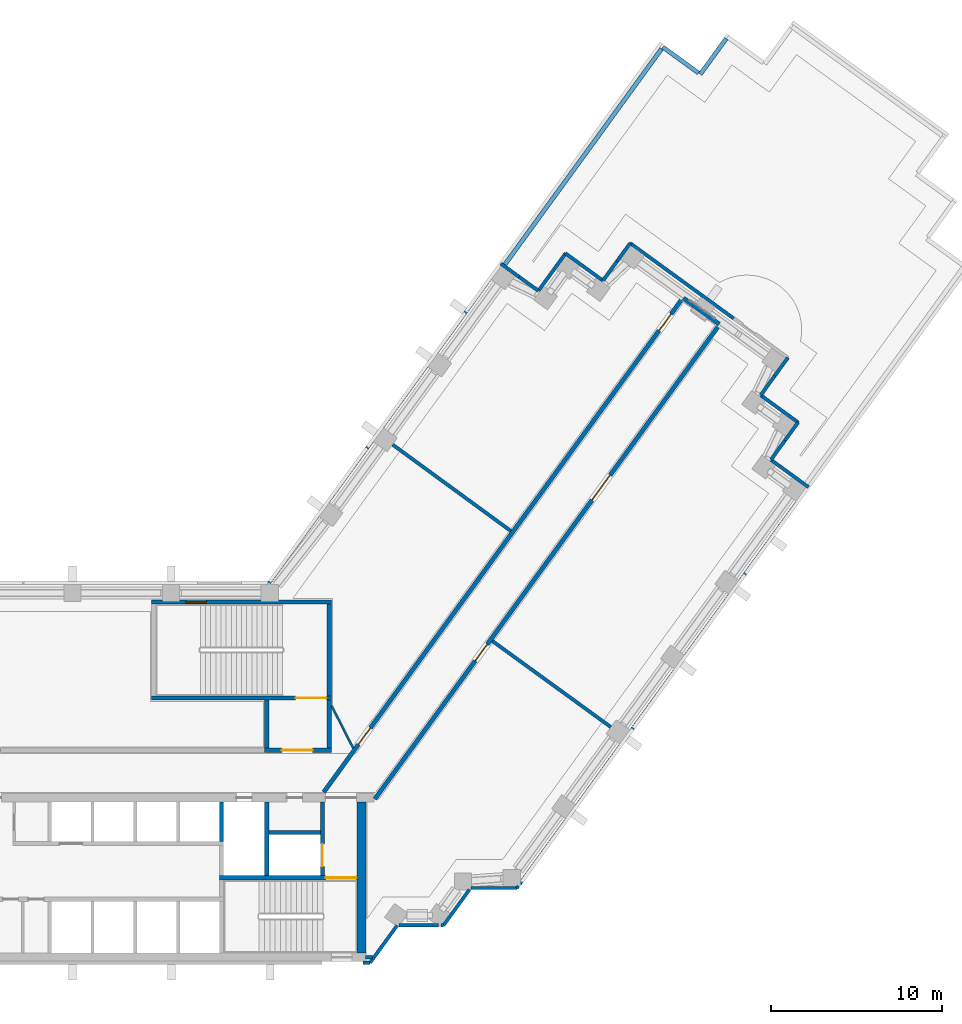
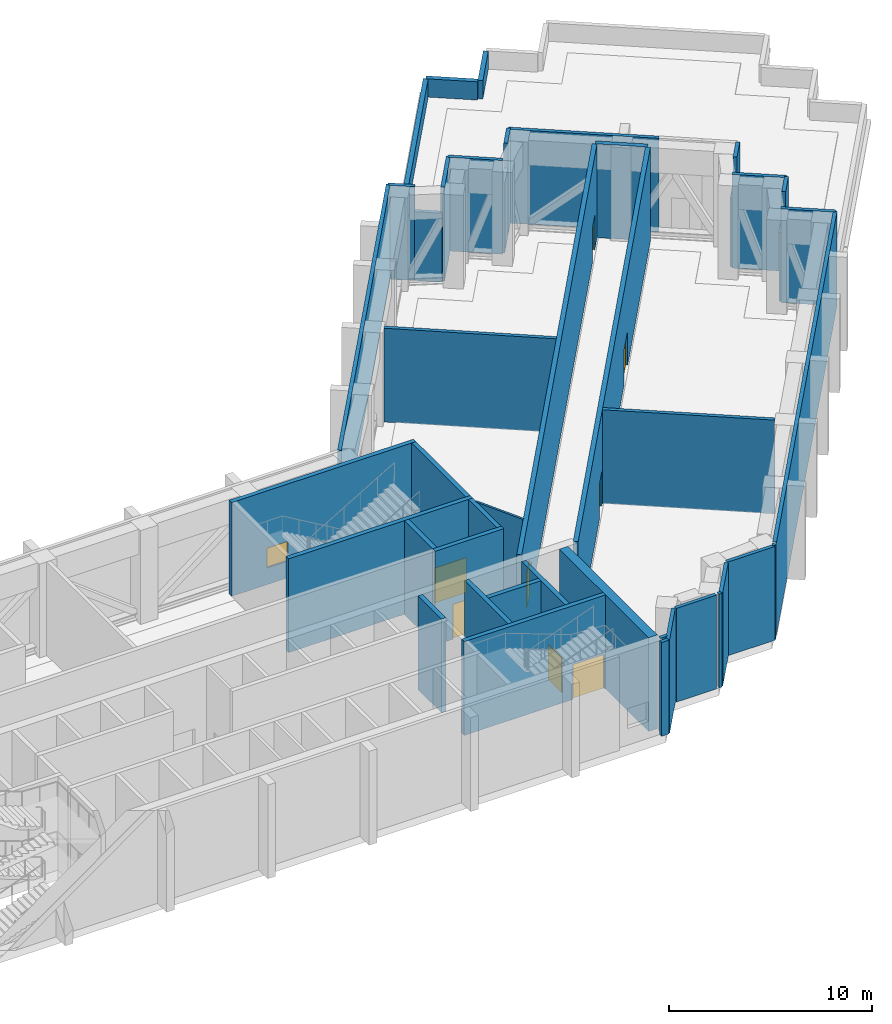
# One storey, part 13 of 18: 44 walls, 8 doors, 1 window, 9 openings.
"""IFC4 building model written with IfcOpenShell, lengths in metres."""

from ifc_helpers import new_model, si_unit, direction, frame, frame_2d, origin, place, context, subcontext, project, spatial, rectangle, extrude, material, layer, layer_set, type_object, element, fill, save


model = new_model("IFC4")

# Units and contexts
model_context = context("Model", 3, precision=1e-05, world=origin(), true_north=direction((0.0, 1.0)))
body_context = subcontext(model_context, "Body", "Model", "MODEL_VIEW")
ifc_project = project(units=[si_unit("LENGTHUNIT", "METRE"), si_unit("AREAUNIT", "SQUARE_METRE"), si_unit("VOLUMEUNIT", "CUBIC_METRE"), si_unit("PLANEANGLEUNIT", "RADIAN"), si_unit("MASSUNIT", "GRAM", prefix="KILO")], contexts=[model_context])

# Site, building, storey
site_placement = place(None, origin())
site = spatial("IfcSite", under=ifc_project, at=site_placement, CompositionType="ELEMENT")
building_placement = place(site_placement, origin())
building = spatial("IfcBuilding", under=site, at=building_placement, Name="Quipu Civic Tower", CompositionType="ELEMENT")
storey_placement = place(building_placement, frame((0.0, 0.0, 79.0)))
storey = spatial("IfcBuildingStorey", under=building, at=storey_placement, Name="L18", CompositionType="ELEMENT", Elevation=79.0)

# Walls
ifc_material_1 = material(Name="Fired clay blockwork", Category="masonry")
ifc_layer_1 = layer(ifc_material_1, 0.199951171875)
ifc_layer_set_1 = layer_set([ifc_layer_1], Name="Fired clay blockwork")
wall_type_1 = type_object("IfcWallType", Name="Blockwork wall 200", PredefinedType="SOLIDWALL", material=ifc_layer_set_1)
wall_1_placement = place(storey_placement, frame((34.302001953125, 2.6806640625, 0.0), z_axis=(0.0, 0.0, 1.0), x_axis=(-0.809031283368, 0.587765584678, 0.0)))
element("IfcWall", 1, at=wall_1_placement, inside=storey, type_object=wall_type_1, Name="Partition P01", PredefinedType="SOLIDWALL", context=body_context, shape_type="SweptSolid", body=[
    extrude(rectangle(XDim=8.544677734375, YDim=0.199951171875, at=frame_2d((4.2724609375, 0.0))), origin(), (0.0, 0.0, 1.0), 5.64990234375),
])
wall_2_placement = place(storey_placement, frame((21.568603515625, 19.164306640625, 0.0), z_axis=(0.0, 0.0, 1.0), x_axis=(0.807519877432, -0.589840357684, 0.0)))
element("IfcWall", 2, at=wall_2_placement, inside=storey, type_object=wall_type_1, Name="Partition P05", PredefinedType="SOLIDWALL", context=body_context, shape_type="SweptSolid", body=[
    extrude(rectangle(XDim=8.545166015625, YDim=0.199951171875, at=frame_2d((4.2724609375, 0.0))), origin(), (0.0, 0.0, 1.0), 5.64990234375),
])
ifc_material_2 = material(Name="Precast concrete C40/50", Category="concrete")
wall_type_2 = type_object("IfcWallType", Name="Concrete parapet", PredefinedType="PARAPET", material=ifc_material_2)
wall_3_placement = place(storey_placement, frame((28.000732421875, 29.513916015625, 0.0), z_axis=(0.0, 0.0, 1.0), x_axis=(0.587788703145, 0.809014487172, 0.0)))
element("IfcWall", 3, at=wall_3_placement, inside=storey, type_object=wall_type_2, Name="Parapet L18.1", PredefinedType="PARAPET", context=body_context, shape_type="SweptSolid", body=[
    extrude(rectangle(XDim=15.770263671875, YDim=0.25, at=frame_2d((7.88525390625, 0.0))), origin(), (0.0, 0.0, 1.0), 1.10009765625),
])
wall_4_placement = place(storey_placement, frame((37.34375, 42.373291015625, 0.0), z_axis=(0.0, 0.0, 1.0), x_axis=(0.808998391935, -0.587810855502, 0.0)))
element("IfcWall", 4, at=wall_4_placement, inside=storey, type_object=wall_type_2, Name="Parapet L18.2", PredefinedType="PARAPET", context=body_context, shape_type="SweptSolid", body=[
    extrude(rectangle(XDim=2.5751953125, YDim=0.25, at=frame_2d((1.28759765625, 0.0))), origin(), (0.0, 0.0, 1.0), 1.10009765625),
])
wall_5_placement = place(storey_placement, frame((39.528076171875, 40.7861328125, 0.0), z_axis=(0.0, 0.0, 1.0), x_axis=(0.587748800394, 0.809043476975, 0.0)))
element("IfcWall", 5, at=wall_5_placement, inside=storey, type_object=wall_type_2, Name="Parapet L18.3", PredefinedType="PARAPET", context=body_context, shape_type="SweptSolid", body=[
    extrude(rectangle(XDim=2.574951171875, YDim=0.25, at=frame_2d((1.28759765625, 0.0))), origin(), (0.0, 0.0, 1.0), 1.10009765625),
])

# Wall, opening, door
ifc_material_3 = material(Name="Concrete C70/85", Category="concrete")
ifc_layer_2 = layer(ifc_material_3, 0.25)
ifc_layer_set_2 = layer_set([ifc_layer_2], Name="Concrete C70/85")
wall_type_3 = type_object("IfcWallType", Name="Core wall 250", PredefinedType="SHEAR", material=ifc_layer_set_2)
wall_6_placement = place(storey_placement, frame((19.5, -6.125, 0.0), z_axis=(0.0, 0.0, 1.0), x_axis=(-1.0, 0.0, 0.0)))
wall_6 = element("IfcWall", 6, at=wall_6_placement, inside=storey, type_object=wall_type_3, Name="Core wall", PredefinedType="SHEAR", context=body_context, shape_type="SweptSolid", body=[
    extrude(rectangle(XDim=8.050048828125, YDim=0.25, at=frame_2d((4.02490234375, 0.0))), origin(), (0.0, 0.0, 1.0), 5.64990234375),
])
opening_1_placement = place(wall_6_placement, frame((0.050048828125, 0.0, 0.0)))
opening_1 = element("IfcOpeningElement", 7, at=opening_1_placement, cuts=wall_6, Name="Opening CD-05", PredefinedType="OPENING", context=body_context, shape_type="SweptSolid", body=[
    extrude(rectangle(XDim=1.800048828125, YDim=2.10009765625, at=frame_2d((0.89990234375, 1.050048828125))), frame((0.0, 0.135009765625, 0.0), z_axis=(0.0, -1.0, 0.0), x_axis=(1.0, 0.0, 0.0)), (0.0, 0.0, 1.0), 0.27001953125),
])
ifc_material_4 = material(Name="Fire rated steel door", Category="steel")
door_type_1 = type_object("IfcDoorType", Name="Fire door FD90 double 1800 x 2100", OperationType="NOTDEFINED", PredefinedType="DOOR", material=ifc_material_4)
door_1_placement = place(opening_1_placement, origin())
door_1 = element("IfcDoor", 8, at=door_1_placement, inside=storey, type_object=door_type_1, Name="Door", OperationType="DOUBLE_DOOR_SINGLE_SWING", OverallHeight=2.10009765625, OverallWidth=1.800048828125, PredefinedType="DOOR", context=body_context, shape_type="SweptSolid", body=[
    extrude(rectangle(XDim=1.800048828125, YDim=2.10009765625, at=frame_2d((0.89990234375, 1.050048828125))), frame((0.0, 0.02490234375, 0.0), z_axis=(0.0, -1.0, 0.0), x_axis=(1.0, 0.0, 0.0)), (0.0, 0.0, 1.0), 0.050048828125),
])
fill(opening_1, door_1)

# Wall
wall_7_placement = place(storey_placement, frame((14.22509765625, -6.0, 0.0), z_axis=(0.0, 0.0, 1.0), x_axis=(0.0, 1.0, 0.0)))
element("IfcWall", 9, at=wall_7_placement, inside=storey, type_object=wall_type_3, Name="Core wall", PredefinedType="SHEAR", context=body_context, shape_type="SweptSolid", body=[
    extrude(rectangle(XDim=4.300048828125, YDim=0.25, at=frame_2d((2.14990234375, 0.0))), origin(), (0.0, 0.0, 1.0), 5.64990234375),
])

# Wall, opening, door
wall_8_placement = place(storey_placement, frame((17.47509765625, -6.0, 0.0), z_axis=(0.0, 0.0, 1.0), x_axis=(0.0, 1.0, 0.0)))
wall_8 = element("IfcWall", 10, at=wall_8_placement, inside=storey, type_object=wall_type_3, Name="Core wall", PredefinedType="SHEAR", context=body_context, shape_type="SweptSolid", body=[
    extrude(rectangle(XDim=4.300048828125, YDim=0.25, at=frame_2d((2.14990234375, 0.0))), origin(), (0.0, 0.0, 1.0), 5.64990234375),
])
opening_2_placement = place(wall_8_placement, frame((0.550048828125, 0.0, 0.0)))
opening_2 = element("IfcOpeningElement", 11, at=opening_2_placement, cuts=wall_8, Name="Opening LD-FF2", PredefinedType="OPENING", context=body_context, shape_type="SweptSolid", body=[
    extrude(rectangle(XDim=1.300048828125, YDim=2.10009765625, at=frame_2d((0.64990234375, 1.050048828125))), frame((0.0, 0.135009765625, 0.0), z_axis=(0.0, -1.0, 0.0), x_axis=(1.0, 0.0, 0.0)), (0.0, 0.0, 1.0), 0.27001953125),
])
ifc_material_5 = material(Name="Stainless steel", Category="steel")
door_type_2 = type_object("IfcDoorType", Name="Lift landing door 1300 x 2100", OperationType="DOUBLE_DOOR_SLIDING", PredefinedType="DOOR", material=ifc_material_5)
door_2_placement = place(opening_2_placement, origin())
door_2 = element("IfcDoor", 12, at=door_2_placement, inside=storey, type_object=door_type_2, Name="Landing door FF2", OperationType="DOUBLE_DOOR_SLIDING", OverallHeight=2.10009765625, OverallWidth=1.300048828125, PredefinedType="DOOR", context=body_context, shape_type="SweptSolid", body=[
    extrude(rectangle(XDim=1.300048828125, YDim=2.10009765625, at=frame_2d((0.64990234375, 1.050048828125))), frame((0.0, 0.02490234375, 0.0), z_axis=(0.0, -1.0, 0.0), x_axis=(1.0, 0.0, 0.0)), (0.0, 0.0, 1.0), 0.050048828125),
])
fill(opening_2, door_2)

# Walls
wall_9_placement = place(storey_placement, frame((11.574951171875, -4.0, 0.0), z_axis=(0.0, 0.0, 1.0), x_axis=(0.0, 1.0, 0.0)))
element("IfcWall", 13, at=wall_9_placement, inside=storey, type_object=wall_type_3, Name="Core wall", PredefinedType="SHEAR", context=body_context, shape_type="SweptSolid", body=[
    extrude(rectangle(XDim=2.300048828125, YDim=0.25, at=frame_2d((1.14990234375, 0.0))), origin(), (0.0, 0.0, 1.0), 5.64990234375),
])
wall_10_placement = place(storey_placement, frame((14.35009765625, -3.47509765625, 0.0), z_axis=(0.0, 0.0, 1.0), x_axis=(1.0, 0.0, 0.0)))
element("IfcWall", 14, at=wall_10_placement, inside=storey, type_object=wall_type_3, Name="Core wall", PredefinedType="SHEAR", context=body_context, shape_type="SweptSolid", body=[
    extrude(rectangle(XDim=3.0, YDim=0.25, at=frame_2d((1.5, 0.0))), origin(), (0.0, 0.0, 1.0), 5.64990234375),
])

# Wall, opening, door
wall_11_placement = place(storey_placement, frame((14.10009765625, 1.324951171875, 0.0), z_axis=(0.0, 0.0, 1.0), x_axis=(1.0, 0.0, 0.0)))
wall_11 = element("IfcWall", 15, at=wall_11_placement, inside=storey, type_object=wall_type_3, Name="Core wall", PredefinedType="SHEAR", context=body_context, shape_type="SweptSolid", body=[
    extrude(rectangle(XDim=3.89990234375, YDim=0.25, at=frame_2d((1.949951171875, 0.0))), origin(), (0.0, 0.0, 1.0), 5.64990234375),
])
opening_3_placement = place(wall_11_placement, frame((1.0, 0.0, 0.0)))
opening_3 = element("IfcOpeningElement", 16, at=opening_3_placement, cuts=wall_11, Name="Opening CD-17", PredefinedType="OPENING", context=body_context, shape_type="SweptSolid", body=[
    extrude(rectangle(XDim=1.800048828125, YDim=2.10009765625, at=frame_2d((0.89990234375, 1.050048828125))), frame((0.0, 0.135009765625, 0.0), z_axis=(0.0, -1.0, 0.0), x_axis=(1.0, 0.0, 0.0)), (0.0, 0.0, 1.0), 0.27001953125),
])
door_3_placement = place(opening_3_placement, origin())
door_3 = element("IfcDoor", 17, at=door_3_placement, inside=storey, type_object=door_type_1, Name="Lobby door", OperationType="DOUBLE_DOOR_SINGLE_SWING", OverallHeight=2.10009765625, OverallWidth=1.800048828125, PredefinedType="DOOR", context=body_context, shape_type="SweptSolid", body=[
    extrude(rectangle(XDim=1.800048828125, YDim=2.10009765625, at=frame_2d((0.89990234375, 1.050048828125))), frame((0.0, 0.02490234375, 0.0), z_axis=(0.0, -1.0, 0.0), x_axis=(1.0, 0.0, 0.0)), (0.0, 0.0, 1.0), 0.050048828125),
])
fill(opening_3, door_3)

# Walls
for number, where, z_axis, x_axis, name in (
    (18, (14.22509765625, 1.449951171875, 0.0), (0.0, 0.0, 1.0), (0.0, 1.0, 0.0), "Core wall"),
    (19, (17.875, 1.449951171875, 0.0), (0.0, 0.0, 1.0), (0.0, 1.0, 0.0), "Core wall"),
):
    element("IfcWall", number, at=place(storey_placement, frame(where, z_axis=z_axis, x_axis=x_axis)), inside=storey, type_object=wall_type_3, Name=name, PredefinedType="SHEAR", context=body_context, shape_type="SweptSolid", body=[
        extrude(rectangle(XDim=2.800048828125, YDim=0.25, at=frame_2d((1.39990234375, 0.0))), origin(), (0.0, 0.0, 1.0), 5.64990234375),
    ])

# Wall, opening, door
wall_12_placement = place(storey_placement, frame((7.5, 4.375, 0.0), z_axis=(0.0, 0.0, 1.0), x_axis=(1.0, 0.0, 0.0)))
wall_12 = element("IfcWall", 20, at=wall_12_placement, inside=storey, type_object=wall_type_3, Name="Core wall", PredefinedType="SHEAR", context=body_context, shape_type="SweptSolid", body=[
    extrude(rectangle(XDim=10.5, YDim=0.25, at=frame_2d((5.25, 0.0))), origin(), (0.0, 0.0, 1.0), 5.64990234375),
])
opening_4_placement = place(wall_12_placement, frame((8.39990234375, 0.0, 0.0)))
opening_4 = element("IfcOpeningElement", 21, at=opening_4_placement, cuts=wall_12, Name="Opening CD-18", PredefinedType="OPENING", context=body_context, shape_type="SweptSolid", body=[
    extrude(rectangle(XDim=1.800048828125, YDim=2.10009765625, at=frame_2d((0.89990234375, 1.050048828125))), frame((0.0, 0.135009765625, 0.0), z_axis=(0.0, -1.0, 0.0), x_axis=(1.0, 0.0, 0.0)), (0.0, 0.0, 1.0), 0.27001953125),
])
door_4_placement = place(opening_4_placement, origin())
door_4 = element("IfcDoor", 22, at=door_4_placement, inside=storey, type_object=door_type_1, Name="Door", OperationType="DOUBLE_DOOR_SINGLE_SWING", OverallHeight=2.10009765625, OverallWidth=1.800048828125, PredefinedType="DOOR", context=body_context, shape_type="SweptSolid", body=[
    extrude(rectangle(XDim=1.800048828125, YDim=2.10009765625, at=frame_2d((0.89990234375, 1.050048828125))), frame((0.0, 0.02490234375, 0.0), z_axis=(0.0, -1.0, 0.0), x_axis=(1.0, 0.0, 0.0)), (0.0, 0.0, 1.0), 0.050048828125),
])
fill(opening_4, door_4)

# Wall
wall_13_placement = place(storey_placement, frame((17.875, 4.5, 0.0), z_axis=(0.0, 0.0, 1.0), x_axis=(0.0, 1.0, 0.0)))
element("IfcWall", 23, at=wall_13_placement, inside=storey, type_object=wall_type_3, Name="Core wall", PredefinedType="SHEAR", context=body_context, shape_type="SweptSolid", body=[
    extrude(rectangle(XDim=5.35009765625, YDim=0.25, at=frame_2d((2.675048828125, 0.0))), origin(), (0.0, 0.0, 1.0), 5.64990234375),
])

# Wall, opening, window
wall_14_placement = place(storey_placement, frame((7.5, 9.97509765625, 0.0), z_axis=(0.0, 0.0, 1.0), x_axis=(1.0, 0.0, 0.0)))
wall_14 = element("IfcWall", 24, at=wall_14_placement, inside=storey, type_object=wall_type_3, Name="Core wall", PredefinedType="SHEAR", context=body_context, shape_type="SweptSolid", body=[
    extrude(rectangle(XDim=10.5, YDim=0.25, at=frame_2d((5.25, 0.0))), origin(), (0.0, 0.0, 1.0), 5.64990234375),
])
opening_5_placement = place(wall_14_placement, frame((2.0, 0.0, 1.0)))
opening_5 = element("IfcOpeningElement", 25, at=opening_5_placement, cuts=wall_14, Name="Opening SV-4", PredefinedType="OPENING", context=body_context, shape_type="SweptSolid", body=[
    extrude(rectangle(XDim=1.199951171875, YDim=1.199951171875, at=frame_2d((0.60009765625, 0.60009765625))), frame((0.0, 0.135009765625, 0.0), z_axis=(0.0, -1.0, 0.0), x_axis=(1.0, 0.0, 0.0)), (0.0, 0.0, 1.0), 0.27001953125),
])
ifc_material_6 = material(Name="Aluminium louvre", Category="aluminium")
window_type = type_object("IfcWindowType", Name="Stair ventilation louvre 1200 x 1200", PartitioningType="SINGLE_PANEL", PredefinedType="WINDOW", material=ifc_material_6)
window_placement = place(opening_5_placement, origin())
window = element("IfcWindow", 26, at=window_placement, inside=storey, type_object=window_type, Name="Stair ventilation opening", OverallHeight=1.199951171875, OverallWidth=1.199951171875, PartitioningType="SINGLE_PANEL", PredefinedType="WINDOW", context=body_context, shape_type="SweptSolid", body=[
    extrude(rectangle(XDim=1.199951171875, YDim=1.199951171875, at=frame_2d((0.60009765625, 0.60009765625))), frame((0.0, 0.030029296875, 0.0), z_axis=(0.0, -1.0, 0.0), x_axis=(1.0, 0.0, 0.0)), (0.0, 0.0, 1.0), 0.06005859375),
])
fill(opening_5, window)

# Walls
ifc_material_7 = material(Name="Concrete C70/85", Category="concrete")
ifc_layer_3 = layer(ifc_material_7, 0.5)
ifc_layer_set_3 = layer_set([ifc_layer_3], Name="Concrete C70/85")
wall_type_4 = type_object("IfcWallType", Name="Core wall 500", PredefinedType="SHEAR", material=ifc_layer_set_3)
wall_15_placement = place(storey_placement, frame((19.75, -10.5, 0.0), z_axis=(0.0, 0.0, 1.0), x_axis=(0.0, 1.0, 0.0)))
element("IfcWall", 27, at=wall_15_placement, inside=storey, type_object=wall_type_4, Name="Core wall", PredefinedType="SHEAR", context=body_context, shape_type="SweptSolid", body=[
    extrude(rectangle(XDim=8.800048828125, YDim=0.5, at=frame_2d((4.39990234375, 0.0))), origin(), (0.0, 0.0, 1.0), 5.64990234375),
])
ifc_material_8 = material(Name="Concrete C50/60", Category="concrete")
ifc_layer_4 = layer(ifc_material_8, 0.25)
ifc_layer_set_4 = layer_set([ifc_layer_4], Name="Concrete C50/60")
wall_type_5 = type_object("IfcWallType", Name="Corridor wall 250 concrete", PredefinedType="SOLIDWALL", material=ifc_layer_set_4)
wall_16_placement = place(storey_placement, frame((38.543212890625, 27.719482421875, 0.0), z_axis=(0.0, 0.0, 1.0), x_axis=(0.809038456977, -0.58775571042, 0.0)))
element("IfcWall", 28, at=wall_16_placement, inside=storey, type_object=wall_type_5, Name="Corridor wall C01", PredefinedType="SOLIDWALL", context=body_context, shape_type="SweptSolid", body=[
    extrude(rectangle(XDim=2.582763671875, YDim=0.25, at=frame_2d((1.29150390625, 0.0))), origin(), (0.0, 0.0, 1.0), 5.64990234375),
])

# Wall, openings, doors
wall_17_placement = place(storey_placement, frame((40.584228515625, 26.07763671875, 0.0), z_axis=(0.0, 0.0, 1.0), x_axis=(-0.587782727964, -0.809018828401, 0.0)))
wall_17 = element("IfcWall", 29, at=wall_17_placement, inside=storey, type_object=wall_type_5, Name="Corridor wall C02", PredefinedType="SOLIDWALL", context=body_context, shape_type="SweptSolid", body=[
    extrude(rectangle(XDim=34.11669921875, YDim=0.25, at=frame_2d((17.058349609375, 0.0))), origin(), (0.0, 0.0, 1.0), 5.64990234375),
])
opening_6_placement = place(wall_17_placement, frame((22.951171875, 0.0, 0.0)))
opening_6 = element("IfcOpeningElement", 30, at=opening_6_placement, cuts=wall_17, Name="Opening D003", PredefinedType="OPENING", context=body_context, shape_type="SweptSolid", body=[
    extrude(rectangle(XDim=1.199951171875, YDim=2.10009765625, at=frame_2d((0.60009765625, 1.050048828125))), frame((0.0, 0.135009765625, 0.0), z_axis=(0.0, -1.0, 0.0), x_axis=(1.0, 0.0, 0.0)), (0.0, 0.0, 1.0), 0.27001953125),
])
opening_7_placement = place(wall_17_placement, frame((10.7490234375, 0.0, 0.0)))
opening_7 = element("IfcOpeningElement", 31, at=opening_7_placement, cuts=wall_17, Name="Opening D004", PredefinedType="OPENING", context=body_context, shape_type="SweptSolid", body=[
    extrude(rectangle(XDim=1.800048828125, YDim=2.10009765625, at=frame_2d((0.89990234375, 1.050048828125))), frame((0.0, 0.135009765625, 0.0), z_axis=(0.0, -1.0, 0.0), x_axis=(1.0, 0.0, 0.0)), (0.0, 0.0, 1.0), 0.27001953125),
])
ifc_material_9 = material(Name="Fire rated timber door set with metal frame", Category="wood")
door_type_3 = type_object("IfcDoorType", Name="Double door 1800 x 2100 FD60", OperationType="DOUBLE_DOOR_SINGLE_SWING", PredefinedType="DOOR", material=ifc_material_9)
door_5_placement = place(opening_7_placement, origin())
door_5 = element("IfcDoor", 32, at=door_5_placement, inside=storey, type_object=door_type_3, Name="Door D004", OperationType="DOUBLE_DOOR_SINGLE_SWING", OverallHeight=2.10009765625, OverallWidth=1.800048828125, PredefinedType="DOOR", context=body_context, shape_type="SweptSolid", body=[
    extrude(rectangle(XDim=1.800048828125, YDim=2.10009765625, at=frame_2d((0.89990234375, 1.050048828125))), frame((0.0, 0.02490234375, 0.0), z_axis=(0.0, -1.0, 0.0), x_axis=(1.0, 0.0, 0.0)), (0.0, 0.0, 1.0), 0.050048828125),
])
fill(opening_7, door_5)
ifc_material_10 = material(Name="Fire rated timber door set with metal frame", Category="wood")
door_type_4 = type_object("IfcDoorType", Name="Single door 1200 x 2100 FD60", OperationType="NOTDEFINED", PredefinedType="DOOR", material=ifc_material_10)
door_6_placement = place(opening_6_placement, origin())
door_6 = element("IfcDoor", 33, at=door_6_placement, inside=storey, type_object=door_type_4, Name="Door D003", OperationType="SINGLE_SWING_LEFT", OverallHeight=2.10009765625, OverallWidth=1.199951171875, PredefinedType="DOOR", context=body_context, shape_type="SweptSolid", body=[
    extrude(rectangle(XDim=1.199951171875, YDim=2.10009765625, at=frame_2d((0.60009765625, 1.050048828125))), frame((0.0, 0.02490234375, 0.0), z_axis=(0.0, -1.0, 0.0), x_axis=(1.0, 0.0, 0.0)), (0.0, 0.0, 1.0), 0.050048828125),
])
fill(opening_6, door_6)

wall_18_placement = place(storey_placement, frame((17.544921875, -1.124755859375, 0.0), z_axis=(0.0, 0.0, 1.0), x_axis=(0.587787785895, 0.809015153599, 0.0)))
wall_18 = element("IfcWall", 34, at=wall_18_placement, inside=storey, type_object=wall_type_5, Name="Corridor wall C08", PredefinedType="SOLIDWALL", context=body_context, shape_type="SweptSolid", body=[
    extrude(rectangle(XDim=35.54931640625, YDim=0.25, at=frame_2d((17.774658203125, 0.0))), origin(), (0.0, 0.0, 1.0), 5.64990234375),
])
opening_8_placement = place(wall_18_placement, frame((33.303466796875, 0.0, 0.0)))
opening_8 = element("IfcOpeningElement", 35, at=opening_8_placement, cuts=wall_18, Name="Opening D002", PredefinedType="OPENING", context=body_context, shape_type="SweptSolid", body=[
    extrude(rectangle(XDim=1.199951171875, YDim=2.10009765625, at=frame_2d((0.60009765625, 1.050048828125))), frame((0.0, 0.135009765625, 0.0), z_axis=(0.0, -1.0, 0.0), x_axis=(1.0, 0.0, 0.0)), (0.0, 0.0, 1.0), 0.27001953125),
])
opening_9_placement = place(wall_18_placement, frame((3.4423828125, 0.0, 0.0)))
opening_9 = element("IfcOpeningElement", 36, at=opening_9_placement, cuts=wall_18, Name="Opening D001", PredefinedType="OPENING", context=body_context, shape_type="SweptSolid", body=[
    extrude(rectangle(XDim=1.199951171875, YDim=2.10009765625, at=frame_2d((0.60009765625, 1.050048828125))), frame((0.0, 0.135009765625, 0.0), z_axis=(0.0, -1.0, 0.0), x_axis=(1.0, 0.0, 0.0)), (0.0, 0.0, 1.0), 0.27001953125),
])
door_7_placement = place(opening_8_placement, origin())
door_7 = element("IfcDoor", 37, at=door_7_placement, inside=storey, type_object=door_type_4, Name="Door D002", OperationType="SINGLE_SWING_RIGHT", OverallHeight=2.10009765625, OverallWidth=1.199951171875, PredefinedType="DOOR", context=body_context, shape_type="SweptSolid", body=[
    extrude(rectangle(XDim=1.199951171875, YDim=2.10009765625, at=frame_2d((0.60009765625, 1.050048828125))), frame((0.0, 0.02490234375, 0.0), z_axis=(0.0, -1.0, 0.0), x_axis=(1.0, 0.0, 0.0)), (0.0, 0.0, 1.0), 0.050048828125),
])
fill(opening_8, door_7)
door_8_placement = place(opening_9_placement, origin())
door_8 = element("IfcDoor", 38, at=door_8_placement, inside=storey, type_object=door_type_4, Name="Door D001", OperationType="SINGLE_SWING_LEFT", OverallHeight=2.10009765625, OverallWidth=1.199951171875, PredefinedType="DOOR", context=body_context, shape_type="SweptSolid", body=[
    extrude(rectangle(XDim=1.199951171875, YDim=2.10009765625, at=frame_2d((0.60009765625, 1.050048828125))), frame((0.0, 0.02490234375, 0.0), z_axis=(0.0, -1.0, 0.0), x_axis=(1.0, 0.0, 0.0)), (0.0, 0.0, 1.0), 0.050048828125),
])
fill(opening_9, door_8)

# Walls
ifc_material_11 = material(Name="Gypsum plasterboard on light gauge framing")
ifc_layer_5 = layer(ifc_material_11, 0.1201171875)
ifc_layer_set_5 = layer_set([ifc_layer_5], Name="Gypsum plasterboard on light gauge framing")
wall_type_6 = type_object("IfcWallType", Name="Partition 120 plasterboard", PredefinedType="PARTITIONING", material=ifc_layer_set_5)
wall_19_placement = place(storey_placement, frame((18.0, 3.925048828125, 0.0), z_axis=(0.0, 0.0, 1.0), x_axis=(0.453950796792, -0.891026752736, 0.0)))
element("IfcWall", 39, at=wall_19_placement, inside=storey, type_object=wall_type_6, Name="Partition P12", PredefinedType="PARTITIONING", context=body_context, shape_type="SweptSolid", body=[
    extrude(rectangle(XDim=2.77783203125, YDim=0.1201171875, at=frame_2d((1.388916015625, 0.0))), origin(), (0.0, 0.0, 1.0), 5.64990234375),
])
ifc_material_12 = material(Name="Precast concrete C40/50", Category="concrete")
wall_type_7 = type_object("IfcWallType", Name="Precast cladding wall", PredefinedType="SOLIDWALL", material=ifc_material_12)
wall_20_placement = place(storey_placement, frame((19.85009765625, -11.087890625, 0.0), z_axis=(0.0, 0.0, 1.0), x_axis=(1.0, 0.0, 0.0)))
element("IfcWall", 40, at=wall_20_placement, inside=storey, type_object=wall_type_7, Name="Precast cladding wall L18 20", PredefinedType="SOLIDWALL", context=body_context, shape_type="SweptSolid", body=[
    extrude(rectangle(XDim=0.40576171875, YDim=0.199951171875, at=frame_2d((0.202880859375, 0.0))), origin(), (0.0, 0.0, 1.0), 5.64990234375),
])
wall_21_placement = place(storey_placement, frame((20.253173828125, -11.083251953125, 0.0), z_axis=(0.0, 0.0, 1.0), x_axis=(0.587766567315, 0.809030569476, 0.0)))
element("IfcWall", 41, at=wall_21_placement, inside=storey, type_object=wall_type_7, Name="Precast cladding wall L18 21", PredefinedType="SOLIDWALL", context=body_context, shape_type="SweptSolid", body=[
    extrude(rectangle(XDim=2.687744140625, YDim=0.199951171875, at=frame_2d((1.34375, 0.0))), origin(), (0.0, 0.0, 1.0), 5.64990234375),
])
wall_22_placement = place(storey_placement, frame((21.943359375, -8.90380859375, 0.0), z_axis=(0.0, 0.0, 1.0), x_axis=(1.0, 0.0, 0.0)))
element("IfcWall", 42, at=wall_22_placement, inside=storey, type_object=wall_type_7, Name="Precast cladding wall L18 22", PredefinedType="SOLIDWALL", context=body_context, shape_type="SweptSolid", body=[
    extrude(rectangle(XDim=2.2978515625, YDim=0.199951171875, at=frame_2d((1.14892578125, 0.0))), origin(), (0.0, 0.0, 1.0), 5.64990234375),
])
wall_23_placement = place(storey_placement, frame((24.38671875, -8.90380859375, 0.0), z_axis=(0.0, 0.0, 1.0), x_axis=(1.0, 0.0, 0.0)))
element("IfcWall", 43, at=wall_23_placement, inside=storey, type_object=wall_type_7, Name="Precast cladding wall L18 23", PredefinedType="SOLIDWALL", context=body_context, shape_type="SweptSolid", body=[
    extrude(rectangle(XDim=0.156005859375, YDim=0.199951171875, at=frame_2d((0.078125, 0.0))), origin(), (0.0, 0.0, 1.0), 5.64990234375),
])
wall_24_placement = place(storey_placement, frame((24.540283203125, -8.89892578125, 0.0), z_axis=(0.0, 0.0, 1.0), x_axis=(0.587700286833, 0.809078718578, 0.0)))
element("IfcWall", 44, at=wall_24_placement, inside=storey, type_object=wall_type_7, Name="Precast cladding wall L18 24", PredefinedType="SOLIDWALL", context=body_context, shape_type="SweptSolid", body=[
    extrude(rectangle(XDim=2.587158203125, YDim=0.199951171875, at=frame_2d((1.29345703125, 0.0))), origin(), (0.0, 0.0, 1.0), 5.64990234375),
])
wall_25_placement = place(storey_placement, frame((26.1298828125, -6.71923828125, 0.0), z_axis=(0.0, 0.0, 1.0), x_axis=(1.0, 0.0, 0.0)))
element("IfcWall", 45, at=wall_25_placement, inside=storey, type_object=wall_type_7, Name="Precast cladding wall L18 25", PredefinedType="SOLIDWALL", context=body_context, shape_type="SweptSolid", body=[
    extrude(rectangle(XDim=2.68798828125, YDim=0.199951171875, at=frame_2d((1.343994140625, 0.0))), origin(), (0.0, 0.0, 1.0), 5.64990234375),
])
wall_26_placement = place(storey_placement, frame((28.820068359375, -6.72412109375, 0.0), z_axis=(0.0, 0.0, 1.0), x_axis=(0.587611037135, 0.809143540441, 0.0)))
element("IfcWall", 46, at=wall_26_placement, inside=storey, type_object=wall_type_7, Name="Precast cladding wall L18 26", PredefinedType="SOLIDWALL", context=body_context, shape_type="SweptSolid", body=[
    extrude(rectangle(XDim=0.1552734375, YDim=0.199951171875, at=frame_2d((0.07763671875, 0.0))), origin(), (0.0, 0.0, 1.0), 5.64990234375),
])
wall_27_placement = place(storey_placement, frame((28.99755859375, -6.47998046875, 0.0), z_axis=(0.0, 0.0, 1.0), x_axis=(0.587785589252, 0.809016749559, 0.0)))
element("IfcWall", 47, at=wall_27_placement, inside=storey, type_object=wall_type_7, Name="Precast cladding wall L18 27", PredefinedType="SOLIDWALL", context=body_context, shape_type="SweptSolid", body=[
    extrude(rectangle(XDim=28.65380859375, YDim=0.199951171875, at=frame_2d((14.326904296875, 0.0))), origin(), (0.0, 0.0, 1.0), 5.64990234375),
])
wall_28_placement = place(storey_placement, frame((45.84228515625, 16.6845703125, 0.0), z_axis=(0.0, 0.0, 1.0), x_axis=(-0.808958916286, 0.58786518162, 0.0)))
element("IfcWall", 48, at=wall_28_placement, inside=storey, type_object=wall_type_7, Name="Precast cladding wall L18 28", PredefinedType="SOLIDWALL", context=body_context, shape_type="SweptSolid", body=[
    extrude(rectangle(XDim=2.699951171875, YDim=0.199951171875, at=frame_2d((1.35009765625, 0.0))), origin(), (0.0, 0.0, 1.0), 5.64990234375),
])
wall_29_placement = place(storey_placement, frame((43.655517578125, 18.28857421875, 0.0), z_axis=(0.0, 0.0, 1.0), x_axis=(0.58786788786, 0.808956949672, 0.0)))
element("IfcWall", 49, at=wall_29_placement, inside=storey, type_object=wall_type_7, Name="Precast cladding wall L18 29", PredefinedType="SOLIDWALL", context=body_context, shape_type="SweptSolid", body=[
    extrude(rectangle(XDim=1.3857421875, YDim=0.199951171875, at=frame_2d((0.69287109375, 0.0))), origin(), (0.0, 0.0, 1.0), 4.14990234375),
])
wall_30_placement = place(storey_placement, frame((44.47021484375, 19.40966796875, 0.0), z_axis=(0.0, 0.0, 1.0), x_axis=(0.587652369972, 0.809113522361, 0.0)))
element("IfcWall", 50, at=wall_30_placement, inside=storey, type_object=wall_type_7, Name="Precast cladding wall L18 29 a", PredefinedType="SOLIDWALL", context=body_context, shape_type="SweptSolid", body=[
    extrude(rectangle(XDim=1.31396484375, YDim=0.199951171875, at=frame_2d((0.656982421875, 0.0))), origin(), (0.0, 0.0, 1.0), 5.64990234375),
])
wall_31_placement = place(storey_placement, frame((45.2451171875, 20.4560546875, 0.0), z_axis=(0.0, 0.0, 1.0), x_axis=(-0.809033161865, 0.587762999008, 0.0)))
element("IfcWall", 51, at=wall_31_placement, inside=storey, type_object=wall_type_7, Name="Precast cladding wall L18 30", PredefinedType="SOLIDWALL", context=body_context, shape_type="SweptSolid", body=[
    extrude(rectangle(XDim=2.699951171875, YDim=0.199951171875, at=frame_2d((1.35009765625, 0.0))), origin(), (0.0, 0.0, 1.0), 5.64990234375),
])
wall_32_placement = place(storey_placement, frame((43.05810546875, 22.059814453125, 0.0), z_axis=(0.0, 0.0, 1.0), x_axis=(0.587845576324, 0.808973162964, 0.0)))
element("IfcWall", 52, at=wall_32_placement, inside=storey, type_object=wall_type_7, Name="Precast cladding wall L18 31", PredefinedType="SOLIDWALL", context=body_context, shape_type="SweptSolid", body=[
    extrude(rectangle(XDim=1.380126953125, YDim=0.199951171875, at=frame_2d((0.68994140625, 0.0))), origin(), (0.0, 0.0, 1.0), 4.14990234375),
])
wall_33_placement = place(storey_placement, frame((43.869384765625, 23.17626953125, 0.0), z_axis=(0.0, 0.0, 1.0), x_axis=(0.587797718958, 0.809007936665, 0.0)))
element("IfcWall", 53, at=wall_33_placement, inside=storey, type_object=wall_type_7, Name="Precast cladding wall L18 31 a", PredefinedType="SOLIDWALL", context=body_context, shape_type="SweptSolid", body=[
    extrude(rectangle(XDim=1.320068359375, YDim=0.199951171875, at=frame_2d((0.66015625, 0.0))), origin(), (0.0, 0.0, 1.0), 5.64990234375),
])
wall_34_placement = place(storey_placement, frame((41.477294921875, 26.53076171875, 0.0), z_axis=(0.0, 0.0, 1.0), x_axis=(-0.809001309088, 0.587806840633, 0.0)))
element("IfcWall", 54, at=wall_34_placement, inside=storey, type_object=wall_type_7, Name="Precast cladding wall L18 34", PredefinedType="SOLIDWALL", context=body_context, shape_type="SweptSolid", body=[
    extrude(rectangle(XDim=7.481201171875, YDim=0.199951171875, at=frame_2d((3.74072265625, 0.0))), origin(), (0.0, 0.0, 1.0), 5.64990234375),
])
wall_35_placement = place(storey_placement, frame((35.44189453125, 30.930908203125, 0.0), z_axis=(0.0, 0.0, 1.0), x_axis=(-0.587707438817, -0.809073523457, 0.0)))
element("IfcWall", 55, at=wall_35_placement, inside=storey, type_object=wall_type_7, Name="Precast cladding wall L18 35", PredefinedType="SOLIDWALL", context=body_context, shape_type="SweptSolid", body=[
    extrude(rectangle(XDim=1.3134765625, YDim=0.199951171875, at=frame_2d((0.65673828125, 0.0))), origin(), (0.0, 0.0, 1.0), 5.64990234375),
])
wall_36_placement = place(storey_placement, frame((34.669921875, 29.8681640625, 0.0), z_axis=(0.0, 0.0, 1.0), x_axis=(-0.587847138415, -0.808972027858, 0.0)))
element("IfcWall", 56, at=wall_36_placement, inside=storey, type_object=wall_type_7, Name="Precast cladding wall L18 35 a", PredefinedType="SOLIDWALL", context=body_context, shape_type="SweptSolid", body=[
    extrude(rectangle(XDim=1.38671875, YDim=0.199951171875, at=frame_2d((0.693359375, 0.0))), origin(), (0.0, 0.0, 1.0), 4.14990234375),
])
for number, where, z_axis, x_axis, name in (
    (57, (33.837890625, 28.743896484375, 0.0), (0.0, 0.0, 1.0), (-0.809033161865, 0.587762999008, 0.0), "Precast cladding wall L18 36"),
    (58, (31.67041015625, 30.33349609375, 0.0), (0.0, 0.0, 1.0), (-0.587762999008, -0.809033161865, 0.0), "Precast cladding wall L18 37"),
):
    element("IfcWall", number, at=place(storey_placement, frame(where, z_axis=z_axis, x_axis=x_axis)), inside=storey, type_object=wall_type_7, Name=name, PredefinedType="SOLIDWALL", context=body_context, shape_type="SweptSolid", body=[
        extrude(rectangle(XDim=2.699951171875, YDim=0.199951171875, at=frame_2d((1.35009765625, 0.0))), origin(), (0.0, 0.0, 1.0), 5.64990234375),
    ])
wall_37_placement = place(storey_placement, frame((30.066650390625, 28.146484375, 0.0), z_axis=(0.0, 0.0, 1.0), x_axis=(-0.809003403559, 0.587803957991, 0.0)))
element("IfcWall", 59, at=wall_37_placement, inside=storey, type_object=wall_type_7, Name="Precast cladding wall L18 38", PredefinedType="SOLIDWALL", context=body_context, shape_type="SweptSolid", body=[
    extrude(rectangle(XDim=1.3818359375, YDim=0.199951171875, at=frame_2d((0.69091796875, 0.0))), origin(), (0.0, 0.0, 1.0), 4.14990234375),
])
wall_38_placement = place(storey_placement, frame((28.94873046875, 28.958740234375, 0.0), z_axis=(0.0, 0.0, 1.0), x_axis=(-0.809064357795, 0.587720056613, 0.0)))
element("IfcWall", 60, at=wall_38_placement, inside=storey, type_object=wall_type_7, Name="Precast cladding wall L18 38 a", PredefinedType="SOLIDWALL", context=body_context, shape_type="SweptSolid", body=[
    extrude(rectangle(XDim=1.318115234375, YDim=0.199951171875, at=frame_2d((0.6591796875, 0.0))), origin(), (0.0, 0.0, 1.0), 5.64990234375),
])
wall_39_placement = place(storey_placement, frame((27.899169921875, 29.736083984375, 0.0), z_axis=(0.0, 0.0, 1.0), x_axis=(-0.587790518608, -0.809013168147, 0.0)))
element("IfcWall", 61, at=wall_39_placement, inside=storey, type_object=wall_type_7, Name="Precast cladding wall L18 39", PredefinedType="SOLIDWALL", context=body_context, shape_type="SweptSolid", body=[
    extrude(rectangle(XDim=23.044189453125, YDim=0.199951171875, at=frame_2d((11.52197265625, 0.0))), origin(), (0.0, 0.0, 1.0), 5.64990234375),
])
wall_40_placement = place(storey_placement, frame((19.97998046875, -10.75, 0.0), z_axis=(0.0, 0.0, 1.0), x_axis=(1.0, 0.0, 0.0)))
element("IfcWall", 62, at=wall_40_placement, inside=storey, type_object=wall_type_7, Name="Precast cladding return L18 E", PredefinedType="SOLIDWALL", context=body_context, shape_type="SweptSolid", body=[
    extrude(rectangle(XDim=0.41650390625, YDim=0.199951171875, at=frame_2d((0.208251953125, 0.0))), origin(), (0.0, 0.0, 1.0), 5.64990234375),
])

save(model, "model.ifc")
